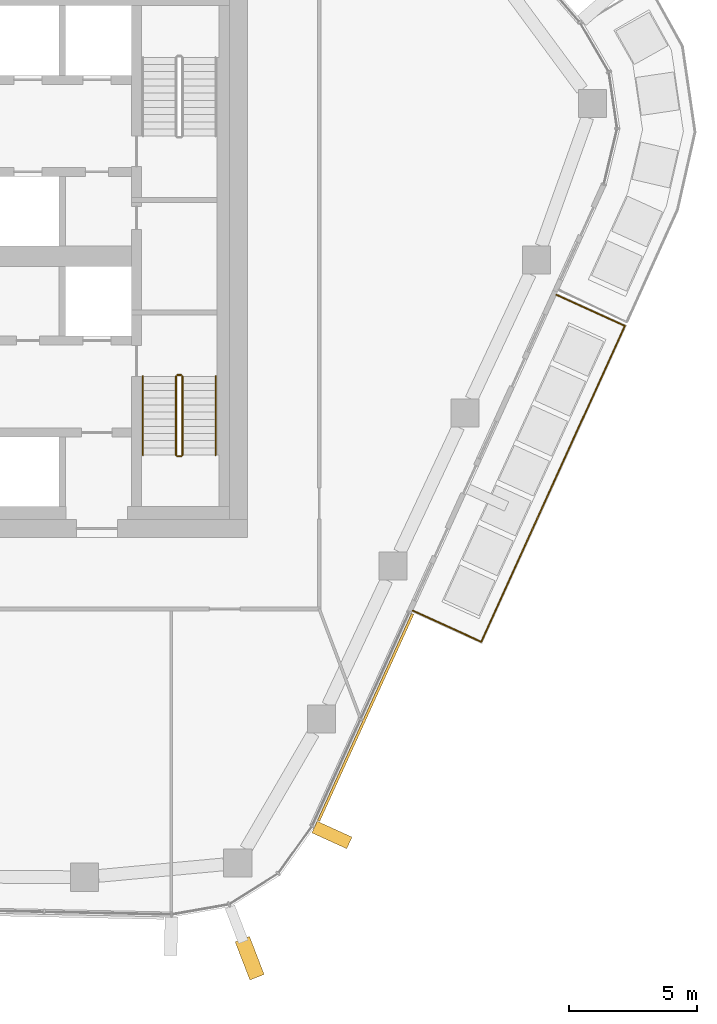
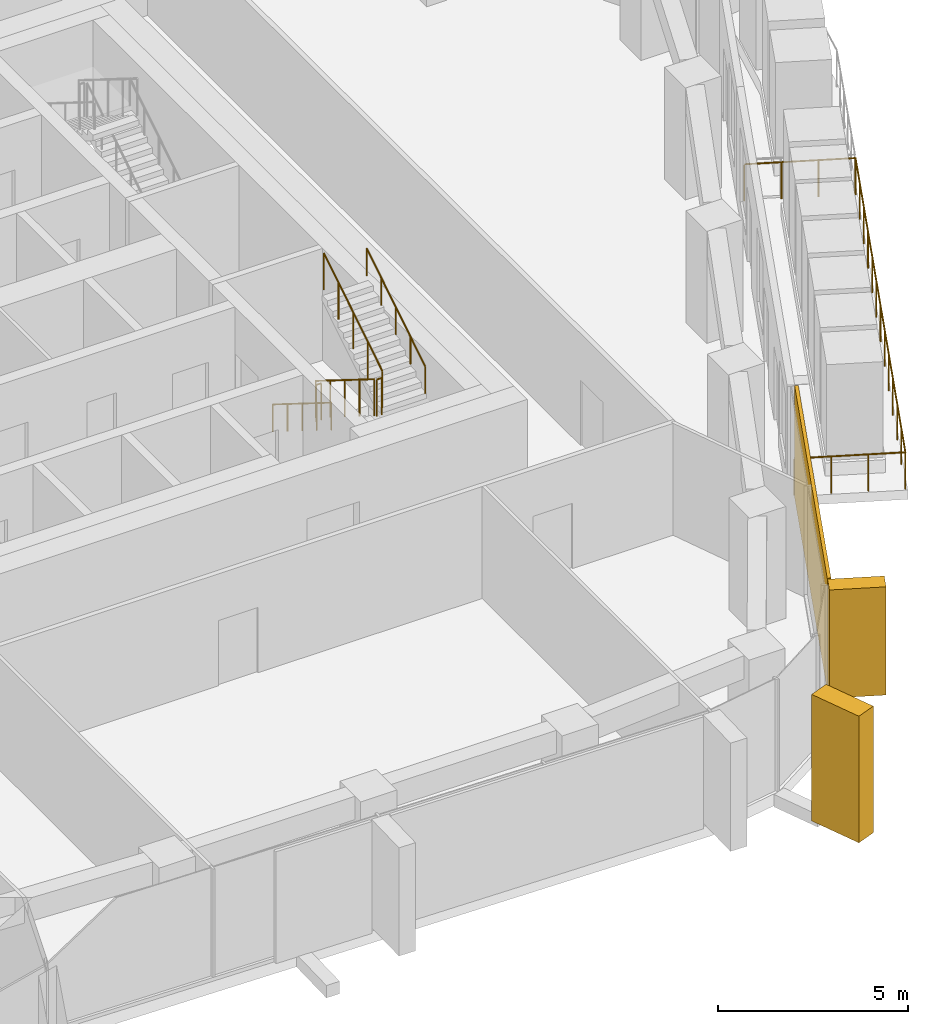
# One storey, part 17 of 21: 7 railings, 3 coverings, 2 elements without a shape of their own.
"""IFC4 building model written with IfcOpenShell, lengths in metres."""

from ifc_helpers import new_model, si_unit, direction, frame, origin, origin_2d, place, context, subcontext, project, spatial, rectangle, circle, extrude, material, layer, layer_set, material_profile, profile_set, type_object, element, aggregate, save


model = new_model("IFC4")

# Units and contexts
model_context = context("Model", 3, precision=1e-05, world=origin(), true_north=direction((0.0, 1.0)))
body_context = subcontext(model_context, "Body", "Model", "MODEL_VIEW")
ifc_project = project(units=[si_unit("LENGTHUNIT", "METRE"), si_unit("AREAUNIT", "SQUARE_METRE"), si_unit("VOLUMEUNIT", "CUBIC_METRE"), si_unit("PLANEANGLEUNIT", "RADIAN"), si_unit("MASSUNIT", "GRAM", prefix="KILO")], contexts=[model_context])

# Site, building, storey
site_placement = place(None, origin())
site = spatial("IfcSite", under=ifc_project, at=site_placement, CompositionType="ELEMENT")
building_placement = place(site_placement, origin())
building = spatial("IfcBuilding", under=site, at=building_placement, Name="Dongbaek Canopy Tower", CompositionType="ELEMENT")
storey_placement = place(building_placement, frame((0.0, 0.0, 279.0)))
storey = spatial("IfcBuildingStorey", under=building, at=storey_placement, Name="L59", CompositionType="ELEMENT", Elevation=279.0)

# Railing
ifc_material_1 = material(Name="Stainless steel", Category="steel")
railing_type_1 = type_object("IfcRailingType", Name="Balcony balustrade 1200", PredefinedType="BALUSTRADE", material=ifc_material_1)
railing_1_placement = place(storey_placement, frame((20.4638671875, -13.87109375, 0.0)))
element("IfcRailing", 1, at=railing_1_placement, inside=storey, type_object=railing_type_1, Name="Balcony guard L59 2", PredefinedType="BALUSTRADE", context=body_context, shape_type="SweptSolid", body=[
    extrude(circle(Radius=0.02392578125, at=origin_2d()), frame((0.0, 0.0, 1.17578125), z_axis=(0.91034088195, -0.413859249807, 0.0), x_axis=(0.413859249807, 0.91034088195, 0.0)), (0.0, 0.0, 1.0), 2.940185546875),
    extrude(circle(Radius=0.02392578125, at=origin_2d()), frame((2.676513671875, -1.216796875, 1.17578125), z_axis=(0.413840880508, 0.910349232779, 0.0), x_axis=(-0.910349232779, 0.413840880508, 0.0)), (0.0, 0.0, 1.0), 13.576171875),
    extrude(circle(Radius=0.02392578125, at=origin_2d()), frame((8.294921875, 11.142333984375, 1.17578125), z_axis=(-0.910372165077, 0.413790431322, 0.0), x_axis=(-0.413790431322, -0.910372165077, 0.0)), (0.0, 0.0, 1.0), 2.93994140625),
    extrude(circle(Radius=0.02099609375, at=origin_2d()), origin(), (0.0, 0.0, 1.0), 1.15185546875),
    extrude(circle(Radius=0.02099609375, at=origin_2d()), frame((0.89208984375, -0.405517578125, 0.0)), (0.0, 0.0, 1.0), 1.15185546875),
    extrude(circle(Radius=0.02099609375, at=origin_2d()), frame((1.784423828125, -0.811279296875, 0.0)), (0.0, 0.0, 1.0), 1.15185546875),
    extrude(circle(Radius=0.02099609375, at=origin_2d()), frame((2.676513671875, -1.216796875, 0.0)), (0.0, 0.0, 1.0), 1.15185546875),
    extrude(circle(Radius=0.02099609375, at=origin_2d()), frame((3.144775390625, -0.186767578125, 0.0)), (0.0, 0.0, 1.0), 1.15185546875),
    extrude(circle(Radius=0.02099609375, at=origin_2d()), frame((3.61279296875, 0.843017578125, 0.0)), (0.0, 0.0, 1.0), 1.15185546875),
    extrude(circle(Radius=0.02099609375, at=origin_2d()), frame((4.0810546875, 1.873046875, 0.0)), (0.0, 0.0, 1.0), 1.15185546875),
    extrude(circle(Radius=0.02099609375, at=origin_2d()), frame((4.54931640625, 2.90283203125, 0.0)), (0.0, 0.0, 1.0), 1.15185546875),
    extrude(circle(Radius=0.02099609375, at=origin_2d()), frame((5.017578125, 3.932861328125, 0.0)), (0.0, 0.0, 1.0), 1.15185546875),
    extrude(circle(Radius=0.02099609375, at=origin_2d()), frame((5.48583984375, 4.962890625, 0.0)), (0.0, 0.0, 1.0), 1.15185546875),
    extrude(circle(Radius=0.02099609375, at=origin_2d()), frame((5.953857421875, 5.99267578125, 0.0)), (0.0, 0.0, 1.0), 1.15185546875),
    extrude(circle(Radius=0.02099609375, at=origin_2d()), frame((6.422119140625, 7.022705078125, 0.0)), (0.0, 0.0, 1.0), 1.15185546875),
    extrude(circle(Radius=0.02099609375, at=origin_2d()), frame((6.890380859375, 8.052490234375, 0.0)), (0.0, 0.0, 1.0), 1.15185546875),
    extrude(circle(Radius=0.02099609375, at=origin_2d()), frame((7.3583984375, 9.08251953125, 0.0)), (0.0, 0.0, 1.0), 1.15185546875),
    extrude(circle(Radius=0.02099609375, at=origin_2d()), frame((7.82666015625, 10.1123046875, 0.0)), (0.0, 0.0, 1.0), 1.15185546875),
    extrude(circle(Radius=0.02099609375, at=origin_2d()), frame((8.294921875, 11.142333984375, 0.0)), (0.0, 0.0, 1.0), 1.15185546875),
    extrude(circle(Radius=0.02099609375, at=origin_2d()), frame((7.40283203125, 11.5478515625, 0.0)), (0.0, 0.0, 1.0), 1.15185546875),
    extrude(circle(Radius=0.02099609375, at=origin_2d()), frame((6.510498046875, 11.953369140625, 0.0)), (0.0, 0.0, 1.0), 1.15185546875),
    extrude(circle(Radius=0.02099609375, at=origin_2d()), frame((5.618408203125, 12.35888671875, 0.0)), (0.0, 0.0, 1.0), 1.15185546875),
])

# Curtain wall, covering
ifc_material_2 = material(Name="Aluminium 6063-T6 pale anodised", Category="aluminium")
ifc_layer_1 = layer(ifc_material_2, 0.199951171875)
ifc_layer_set_1 = layer_set([ifc_layer_1], Name="CW-1 unitised tower curtain wall")
curtain_wall_type = type_object("IfcCurtainWallType", Name="CW-1 unitised tower curtain wall", PredefinedType="NOTDEFINED", material=ifc_layer_set_1)
curtain_wall_1_placement = place(storey_placement, origin())
curtain_wall_1 = element("IfcCurtainWall", 2, at=curtain_wall_1_placement, inside=storey, type_object=curtain_wall_type, Name="CW-1 curtain wall K5.1", PredefinedType="NOTDEFINED")
ifc_material_3 = material(Name="Aluminium 6063-T6 pale metal fin", Category="aluminium")
ifc_material_profile_1 = material_profile(ifc_material_3, rectangle(XDim=1.60009765625, YDim=0.60009765625, at=origin_2d()), Name="Corner fin CN1 600 x 1600 pale metal")
ifc_profile_set_1 = profile_set([ifc_material_profile_1], Name="Aluminium 6063-T6 pale metal fin")
covering_type_1 = type_object("IfcCoveringType", Name="Corner fin CN1 600 x 1600 pale metal", PredefinedType="CLADDING", material=ifc_profile_set_1)
covering_1_placement = place(storey_placement, frame((14.07958984375, -27.466552734375, -0.18994140625), z_axis=(0.0, 0.0, 1.0), x_axis=(0.35945614843, -0.933161978092, 0.0)))
covering_1 = element("IfcCovering", 3, at=covering_1_placement, type_object=covering_type_1, Name="Corner fin L59 L59 K5", PredefinedType="CLADDING", context=body_context, shape_type="SweptSolid", body=[
    extrude(rectangle(XDim=1.60009765625, YDim=0.60009765625, at=origin_2d()), origin(), (0.0, 0.0, 1.0), 4.06982421875),
])
aggregate(curtain_wall_1, [covering_1])

# Curtain wall, coverings
curtain_wall_2_placement = place(storey_placement, origin())
curtain_wall_2 = element("IfcCurtainWall", 4, at=curtain_wall_2_placement, inside=storey, type_object=curtain_wall_type, Name="CW-1 curtain wall F5.1", PredefinedType="NOTDEFINED")
ifc_material_4 = material(Name="Perforated aluminium 6063-T6 pale metal screen", Category="aluminium")
ifc_layer_2 = layer(ifc_material_4, 0.10009765625)
ifc_layer_set_2 = layer_set([ifc_layer_2], Name="Facet screen FS1 100 pale metal")
covering_type_2 = type_object("IfcCoveringType", Name="Facet screen FS1 100 pale metal", PredefinedType="CLADDING", material=ifc_layer_set_2)
covering_2_placement = place(storey_placement, frame((18.619140625, -18.040283203125, 0.0), z_axis=(0.0, 0.0, 1.0), x_axis=(0.413837029174, 0.910350983569, 0.0)))
covering_2 = element("IfcCovering", 5, at=covering_2_placement, type_object=covering_type_2, Name="Facet screen L59 F5", PredefinedType="CLADDING", context=body_context, shape_type="SweptSolid", body=[
    extrude(rectangle(XDim=8.897705078125, YDim=0.10009765625, at=origin_2d()), origin(), (0.0, 0.0, 1.0), 3.60009765625),
])
ifc_material_5 = material(Name="Aluminium 6063-T6 pale metal fin", Category="aluminium")
ifc_material_profile_2 = material_profile(ifc_material_5, rectangle(XDim=1.5, YDim=0.5, at=origin_2d()), Name="Fin FN1 500 x 1500 pale metal")
ifc_profile_set_2 = profile_set([ifc_material_profile_2], Name="Aluminium 6063-T6 pale metal fin")
covering_type_3 = type_object("IfcCoveringType", Name="Fin FN1 500 x 1500 pale metal", PredefinedType="CLADDING", material=ifc_profile_set_2)
covering_3_placement = place(storey_placement, frame((17.299072265625, -22.645751953125, 0.1201171875), z_axis=(0.0, 0.0, 1.0), x_axis=(0.91035121433, -0.413836521549, 0.0)))
covering_3 = element("IfcCovering", 6, at=covering_3_placement, type_object=covering_type_3, Name="Fin F5.1.1", PredefinedType="CLADDING", context=body_context, shape_type="SweptSolid", body=[
    extrude(rectangle(XDim=1.5, YDim=0.5, at=origin_2d()), origin(), (0.0, 0.0, 1.0), 3.47998046875),
])
aggregate(curtain_wall_2, [covering_3, covering_2])

# Railings
ifc_material_6 = material(Name="Stainless steel tube and balusters", Category="steel")
railing_type_2 = type_object("IfcRailingType", Name="Stair guard 1200", PredefinedType="GUARDRAIL", material=ifc_material_6)
railing_2_placement = place(storey_placement, frame((11.199951171875, -4.699951171875, 0.175048828125)))
element("IfcRailing", 7, at=railing_2_placement, inside=storey, type_object=railing_type_2, Name="L59 ST-B stair guard 1", PredefinedType="GUARDRAIL", context=body_context, shape_type="SweptSolid", body=[
    extrude(circle(Radius=0.02392578125, at=origin_2d()), frame((0.0, 0.0, 1.17578125), z_axis=(0.0, -0.847998304005, 0.529998940003), x_axis=(1.0, 0.0, 0.0)), (0.0, 0.0, 1.0), 3.632080078125),
    extrude(circle(Radius=0.02099609375, at=origin_2d()), origin(), (0.0, 0.0, 1.0), 1.15185546875),
    extrude(circle(Radius=0.02099609375, at=origin_2d()), frame((0.0, -0.77001953125, 0.481201171875)), (0.0, 0.0, 1.0), 1.15185546875),
    extrude(circle(Radius=0.02099609375, at=origin_2d()), frame((0.0, -1.5400390625, 0.96240234375)), (0.0, 0.0, 1.0), 1.15185546875),
    extrude(circle(Radius=0.02099609375, at=origin_2d()), frame((0.0, -2.31005859375, 1.44384765625)), (0.0, 0.0, 1.0), 1.15185546875),
    extrude(circle(Radius=0.02099609375, at=origin_2d()), frame((0.0, -3.080078125, 1.925048828125)), (0.0, 0.0, 1.0), 1.15185546875),
])
railing_3_placement = place(storey_placement, frame((11.25, -7.830078125, 2.10009765625)))
element("IfcRailing", 8, at=railing_3_placement, inside=storey, type_object=railing_type_2, Name="L59 ST-B stair guard 2", PredefinedType="GUARDRAIL", context=body_context, shape_type="SweptSolid", body=[
    extrude(circle(Radius=0.02392578125, at=origin_2d()), frame((0.0, 0.0, 1.17578125), z_axis=(1.0, 0.0, 0.0), x_axis=(0.0, 1.0, 0.0)), (0.0, 0.0, 1.0), 0.14990234375),
    extrude(circle(Radius=0.02099609375, at=origin_2d()), origin(), (0.0, 0.0, 1.0), 1.15185546875),
    extrude(circle(Radius=0.02099609375, at=origin_2d()), frame((0.14990234375, 0.0, 0.0)), (0.0, 0.0, 1.0), 1.15185546875),
])
railing_4_placement = place(storey_placement, frame((11.449951171875, -7.780029296875, 2.27490234375)))
element("IfcRailing", 9, at=railing_4_placement, inside=storey, type_object=railing_type_2, Name="L59 ST-B stair guard 3", PredefinedType="GUARDRAIL", context=body_context, shape_type="SweptSolid", body=[
    extrude(circle(Radius=0.02392578125, at=origin_2d()), frame((0.0, 0.0, 1.17578125), z_axis=(0.0, 0.847998304005, 0.529998940003), x_axis=(-1.0, 0.0, 0.0)), (0.0, 0.0, 1.0), 3.632080078125),
    extrude(circle(Radius=0.02099609375, at=origin_2d()), origin(), (0.0, 0.0, 1.0), 1.15185546875),
    extrude(circle(Radius=0.02099609375, at=origin_2d()), frame((0.0, 0.77001953125, 0.481201171875)), (0.0, 0.0, 1.0), 1.15185546875),
    extrude(circle(Radius=0.02099609375, at=origin_2d()), frame((0.0, 1.5400390625, 0.96240234375)), (0.0, 0.0, 1.0), 1.15185546875),
    extrude(circle(Radius=0.02099609375, at=origin_2d()), frame((0.0, 2.31005859375, 1.44384765625)), (0.0, 0.0, 1.0), 1.15185546875),
    extrude(circle(Radius=0.02099609375, at=origin_2d()), frame((0.0, 3.080078125, 1.925048828125)), (0.0, 0.0, 1.0), 1.15185546875),
])
railing_5_placement = place(storey_placement, frame((11.25, -4.64990234375, 0.0)))
element("IfcRailing", 10, at=railing_5_placement, inside=storey, type_object=railing_type_2, Name="L59 ST-B stair guard 4", PredefinedType="GUARDRAIL", context=body_context, shape_type="SweptSolid", body=[
    extrude(circle(Radius=0.02392578125, at=origin_2d()), frame((0.0, 0.0, 1.17578125), z_axis=(1.0, 0.0, 0.0), x_axis=(0.0, 1.0, 0.0)), (0.0, 0.0, 1.0), 0.14990234375),
    extrude(circle(Radius=0.02099609375, at=origin_2d()), origin(), (0.0, 0.0, 1.0), 1.15185546875),
    extrude(circle(Radius=0.02099609375, at=origin_2d()), frame((0.14990234375, 0.0, 0.0)), (0.0, 0.0, 1.0), 1.15185546875),
])
ifc_material_7 = material(Name="Stainless steel tube", Category="steel")
railing_type_3 = type_object("IfcRailingType", Name="Stair handrail 900", PredefinedType="HANDRAIL", material=ifc_material_7)
railing_6_placement = place(storey_placement, frame((9.89990234375, -4.699951171875, 0.175048828125)))
element("IfcRailing", 11, at=railing_6_placement, inside=storey, type_object=railing_type_3, Name="L59 ST-B stair handrail 1", PredefinedType="HANDRAIL", context=body_context, shape_type="SweptSolid", body=[
    extrude(circle(Radius=0.02392578125, at=origin_2d()), frame((0.0, 0.0, 0.8759765625), z_axis=(0.0, -0.847998304005, 0.529998940003), x_axis=(1.0, 0.0, 0.0)), (0.0, 0.0, 1.0), 3.632080078125),
    extrude(circle(Radius=0.02099609375, at=origin_2d()), origin(), (0.0, 0.0, 1.0), 0.851806640625),
    extrude(circle(Radius=0.02099609375, at=origin_2d()), frame((0.0, -0.77001953125, 0.481201171875)), (0.0, 0.0, 1.0), 0.851806640625),
    extrude(circle(Radius=0.02099609375, at=origin_2d()), frame((0.0, -1.5400390625, 0.96240234375)), (0.0, 0.0, 1.0), 0.851806640625),
    extrude(circle(Radius=0.02099609375, at=origin_2d()), frame((0.0, -2.31005859375, 1.44384765625)), (0.0, 0.0, 1.0), 0.851806640625),
    extrude(circle(Radius=0.02099609375, at=origin_2d()), frame((0.0, -3.080078125, 1.925048828125)), (0.0, 0.0, 1.0), 0.851806640625),
])
railing_7_placement = place(storey_placement, frame((12.75, -7.780029296875, 2.27490234375)))
element("IfcRailing", 12, at=railing_7_placement, inside=storey, type_object=railing_type_3, Name="L59 ST-B stair handrail 2", PredefinedType="HANDRAIL", context=body_context, shape_type="SweptSolid", body=[
    extrude(circle(Radius=0.02392578125, at=origin_2d()), frame((0.0, 0.0, 0.8759765625), z_axis=(0.0, 0.847998304005, 0.529998940003), x_axis=(-1.0, 0.0, 0.0)), (0.0, 0.0, 1.0), 3.632080078125),
    extrude(circle(Radius=0.02099609375, at=origin_2d()), origin(), (0.0, 0.0, 1.0), 0.851806640625),
    extrude(circle(Radius=0.02099609375, at=origin_2d()), frame((0.0, 0.77001953125, 0.481201171875)), (0.0, 0.0, 1.0), 0.851806640625),
    extrude(circle(Radius=0.02099609375, at=origin_2d()), frame((0.0, 1.5400390625, 0.96240234375)), (0.0, 0.0, 1.0), 0.851806640625),
    extrude(circle(Radius=0.02099609375, at=origin_2d()), frame((0.0, 2.31005859375, 1.44384765625)), (0.0, 0.0, 1.0), 0.851806640625),
    extrude(circle(Radius=0.02099609375, at=origin_2d()), frame((0.0, 3.080078125, 1.925048828125)), (0.0, 0.0, 1.0), 0.851806640625),
])

save(model, "model.ifc")
